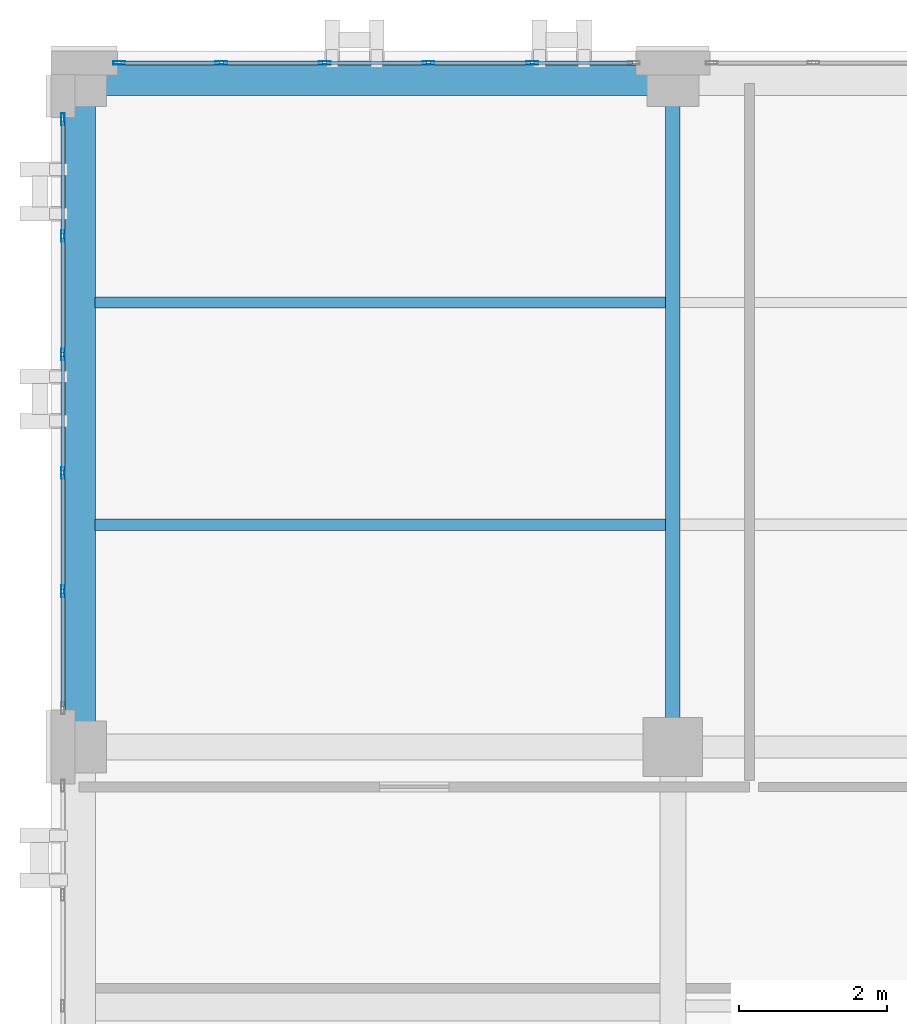
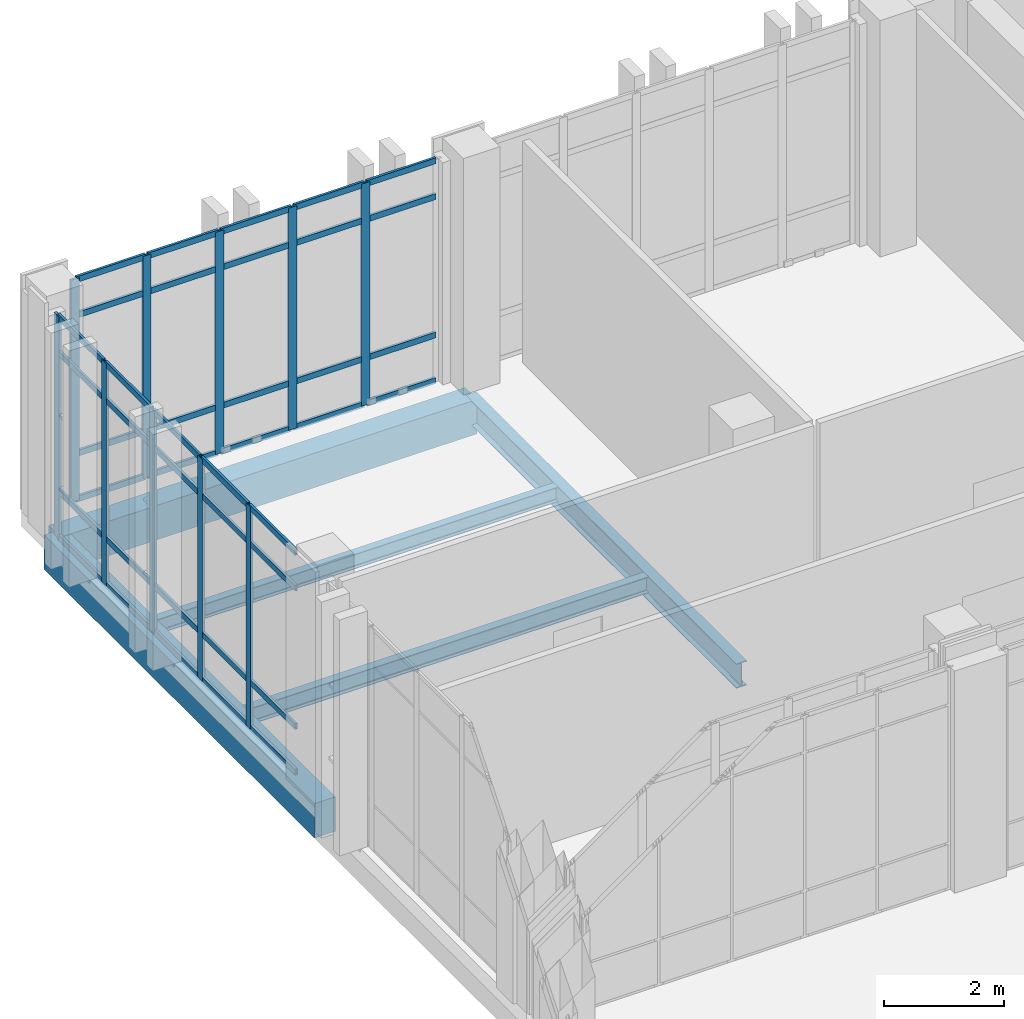
# One storey, part 88 of 189: 50 members, 5 beams, 2 elements without a shape of their own.
"""IFC4 building model written with IfcOpenShell, lengths in metres."""

from ifc_helpers import new_model, si_unit, direction, frame, origin, origin_2d, place, context, subcontext, project, spatial, rectangle, hollow_rectangle, i_section, extrude, material, layer, layer_set, material_profile, profile_set, type_object, element, aggregate, save


model = new_model("IFC4")

# Units and contexts
model_context = context("Model", 3, precision=1e-05, world=origin(), true_north=direction((0.0, 1.0)))
body_context = subcontext(model_context, "Body", "Model", "MODEL_VIEW")
ifc_project = project(units=[si_unit("LENGTHUNIT", "METRE"), si_unit("AREAUNIT", "SQUARE_METRE"), si_unit("VOLUMEUNIT", "CUBIC_METRE"), si_unit("PLANEANGLEUNIT", "RADIAN"), si_unit("MASSUNIT", "GRAM", prefix="KILO")], contexts=[model_context])

# Site, building, storey
site_placement = place(None, origin())
site = spatial("IfcSite", under=ifc_project, at=site_placement, CompositionType="ELEMENT")
building_placement = place(site_placement, origin())
building = spatial("IfcBuilding", under=site, at=building_placement, Name="Qalavern Law Courts", CompositionType="ELEMENT")
storey_placement = place(building_placement, frame((0.0, 0.0, 5.39990234375)))
storey = spatial("IfcBuildingStorey", under=building, at=storey_placement, Name="L01", CompositionType="ELEMENT", Elevation=5.39990234375)

# Curtain wall, members
ifc_material_1 = material(Name="Anodised aluminium and insulated glazing", Category="aluminium")
ifc_layer = layer(ifc_material_1, 0.166015625)
ifc_layer_set = layer_set([ifc_layer], Name="Anodised aluminium and insulated glazing")
curtain_wall_type = type_object("IfcCurtainWallType", Name="ENV-CW-LIB", PredefinedType="USERDEFINED", material=ifc_layer_set)
curtain_wall_1_placement = place(storey_placement, origin())
curtain_wall_1 = element("IfcCurtainWall", 1, at=curtain_wall_1_placement, inside=storey, type_object=curtain_wall_type, Name="V5 unitised curtain wall L01 north 7", ObjectType="UNITISED CURTAIN WALL", PredefinedType="USERDEFINED")
ifc_material_2 = material(Name="Anodised aluminium", Category="aluminium")
ifc_material_profile_1 = material_profile(ifc_material_2, hollow_rectangle(XDim=0.048095703125, YDim=0.159912109375, WallThickness=0.00390625, at=origin_2d()), Name="ALU MULLION 48x160")
ifc_profile_set_1 = profile_set([ifc_material_profile_1], Name="Anodised aluminium")
member_type_1 = type_object("IfcMemberType", Name="ENV-CWM-48x160", PredefinedType="MULLION", material=ifc_profile_set_1)
member_1_placement = place(storey_placement, frame((8.5, 112.83740234375, 0.0), z_axis=(0.0, 0.0, 1.0), x_axis=(0.0, -1.0, 0.0)))
member_1 = element("IfcMember", 2, at=member_1_placement, type_object=member_type_1, Name="CW-05 mullion 2", PredefinedType="MULLION", context=body_context, shape_type="SweptSolid", body=[
    extrude(hollow_rectangle(XDim=0.048095703125, YDim=0.159912109375, WallThickness=0.00390625, at=origin_2d()), origin(), (0.0, 0.0, 1.0), 4.510009765625),
])
member_2_placement = place(storey_placement, frame((7.10009765625, 112.83740234375, 0.0), z_axis=(0.0, 0.0, 1.0), x_axis=(0.0, -1.0, 0.0)))
member_2 = element("IfcMember", 3, at=member_2_placement, type_object=member_type_1, Name="CW-05 mullion 3", PredefinedType="MULLION", context=body_context, shape_type="SweptSolid", body=[
    extrude(hollow_rectangle(XDim=0.048095703125, YDim=0.159912109375, WallThickness=0.00390625, at=origin_2d()), origin(), (0.0, 0.0, 1.0), 4.510009765625),
])
member_3_placement = place(storey_placement, frame((5.699951171875, 112.83740234375, 0.0), z_axis=(0.0, 0.0, 1.0), x_axis=(0.0, -1.0, 0.0)))
member_3 = element("IfcMember", 4, at=member_3_placement, type_object=member_type_1, Name="CW-05 mullion 4", PredefinedType="MULLION", context=body_context, shape_type="SweptSolid", body=[
    extrude(hollow_rectangle(XDim=0.048095703125, YDim=0.159912109375, WallThickness=0.00390625, at=origin_2d()), origin(), (0.0, 0.0, 1.0), 4.510009765625),
])
member_4_placement = place(storey_placement, frame((4.300048828125, 112.83740234375, 0.0), z_axis=(0.0, 0.0, 1.0), x_axis=(0.0, -1.0, 0.0)))
member_4 = element("IfcMember", 5, at=member_4_placement, type_object=member_type_1, Name="CW-05 mullion 5", PredefinedType="MULLION", context=body_context, shape_type="SweptSolid", body=[
    extrude(hollow_rectangle(XDim=0.048095703125, YDim=0.159912109375, WallThickness=0.00390625, at=origin_2d()), origin(), (0.0, 0.0, 1.0), 4.510009765625),
])
member_5_placement = place(storey_placement, frame((2.924072265625, 112.83740234375, 0.0), z_axis=(0.0, 0.0, 1.0), x_axis=(0.0, -1.0, 0.0)))
member_5 = element("IfcMember", 6, at=member_5_placement, type_object=member_type_1, Name="CW-05 mullion 6", PredefinedType="MULLION", context=body_context, shape_type="SweptSolid", body=[
    extrude(hollow_rectangle(XDim=0.048095703125, YDim=0.159912109375, WallThickness=0.00390625, at=origin_2d()), origin(), (0.0, 0.0, 1.0), 4.510009765625),
])

curtain_wall_2_placement = place(storey_placement, origin())
curtain_wall_2 = element("IfcCurtainWall", 7, at=curtain_wall_2_placement, inside=storey, type_object=curtain_wall_type, Name="V5 unitised curtain wall L01 west 1", ObjectType="UNITISED CURTAIN WALL", PredefinedType="USERDEFINED")
member_6_placement = place(storey_placement, frame((2.16259765625, 112.075927734375, 0.0), z_axis=(0.0, 0.0, 1.0), x_axis=(1.0, 0.0, 0.0)))
member_6 = element("IfcMember", 8, at=member_6_placement, type_object=member_type_1, Name="CW-05 mullion 1", PredefinedType="MULLION", context=body_context, shape_type="SweptSolid", body=[
    extrude(hollow_rectangle(XDim=0.048095703125, YDim=0.159912109375, WallThickness=0.00390625, at=origin_2d()), origin(), (0.0, 0.0, 1.0), 4.510009765625),
])
member_7_placement = place(storey_placement, frame((2.16259765625, 110.5, 0.0), z_axis=(0.0, 0.0, 1.0), x_axis=(1.0, 0.0, 0.0)))
member_7 = element("IfcMember", 9, at=member_7_placement, type_object=member_type_1, Name="CW-05 mullion 2", PredefinedType="MULLION", context=body_context, shape_type="SweptSolid", body=[
    extrude(hollow_rectangle(XDim=0.048095703125, YDim=0.159912109375, WallThickness=0.00390625, at=origin_2d()), origin(), (0.0, 0.0, 1.0), 4.510009765625),
])
member_8_placement = place(storey_placement, frame((2.16259765625, 108.89990234375, 0.0), z_axis=(0.0, 0.0, 1.0), x_axis=(1.0, 0.0, 0.0)))
member_8 = element("IfcMember", 10, at=member_8_placement, type_object=member_type_1, Name="CW-05 mullion 3", PredefinedType="MULLION", context=body_context, shape_type="SweptSolid", body=[
    extrude(hollow_rectangle(XDim=0.048095703125, YDim=0.159912109375, WallThickness=0.00390625, at=origin_2d()), origin(), (0.0, 0.0, 1.0), 4.510009765625),
])
member_9_placement = place(storey_placement, frame((2.16259765625, 107.300048828125, 0.0), z_axis=(0.0, 0.0, 1.0), x_axis=(1.0, 0.0, 0.0)))
member_9 = element("IfcMember", 11, at=member_9_placement, type_object=member_type_1, Name="CW-05 mullion 4", PredefinedType="MULLION", context=body_context, shape_type="SweptSolid", body=[
    extrude(hollow_rectangle(XDim=0.048095703125, YDim=0.159912109375, WallThickness=0.00390625, at=origin_2d()), origin(), (0.0, 0.0, 1.0), 4.510009765625),
])
member_10_placement = place(storey_placement, frame((2.16259765625, 105.699951171875, 0.0), z_axis=(0.0, 0.0, 1.0), x_axis=(1.0, 0.0, 0.0)))
member_10 = element("IfcMember", 12, at=member_10_placement, type_object=member_type_1, Name="CW-05 mullion 5", PredefinedType="MULLION", context=body_context, shape_type="SweptSolid", body=[
    extrude(hollow_rectangle(XDim=0.048095703125, YDim=0.159912109375, WallThickness=0.00390625, at=origin_2d()), origin(), (0.0, 0.0, 1.0), 4.510009765625),
])

# Member
ifc_material_profile_2 = material_profile(ifc_material_2, hollow_rectangle(XDim=0.048095703125, YDim=0.1201171875, WallThickness=0.00390625, at=origin_2d()), Name="ALU TRANSOM 48x120")
ifc_profile_set_2 = profile_set([ifc_material_profile_2], Name="Anodised aluminium")
member_type_2 = type_object("IfcMemberType", Name="ENV-CWT-48x120", PredefinedType="USERDEFINED", material=ifc_profile_set_2)
member_11_placement = place(storey_placement, frame((9.85205078125, 112.83740234375, 0.024169921875), z_axis=(-1.0, 0.0, 0.0), x_axis=(0.0, -1.0, 0.0)))
member_11 = element("IfcMember", 13, at=member_11_placement, type_object=member_type_2, Name="CW-05 transom 1.1", ObjectType="TRANSOM", PredefinedType="USERDEFINED", context=body_context, shape_type="SweptSolid", body=[
    extrude(hollow_rectangle(XDim=0.048095703125, YDim=0.1201171875, WallThickness=0.00390625, at=origin_2d()), origin(), (0.0, 0.0, 1.0), 1.328125),
])

member_12_placement = place(storey_placement, frame((9.85205078125, 112.83740234375, 0.9501953125), z_axis=(-1.0, 0.0, 0.0), x_axis=(0.0, -1.0, 0.0)))
member_12 = element("IfcMember", 14, at=member_12_placement, type_object=member_type_2, Name="CW-05 transom 1.2", ObjectType="TRANSOM", PredefinedType="USERDEFINED", context=body_context, shape_type="SweptSolid", body=[
    extrude(hollow_rectangle(XDim=0.048095703125, YDim=0.1201171875, WallThickness=0.00390625, at=origin_2d()), origin(), (0.0, 0.0, 1.0), 1.328125),
])

member_13_placement = place(storey_placement, frame((9.85205078125, 112.83740234375, 3.760009765625), z_axis=(-1.0, 0.0, 0.0), x_axis=(0.0, -1.0, 0.0)))
member_13 = element("IfcMember", 15, at=member_13_placement, type_object=member_type_2, Name="CW-05 transom 1.3", ObjectType="TRANSOM", PredefinedType="USERDEFINED", context=body_context, shape_type="SweptSolid", body=[
    extrude(hollow_rectangle(XDim=0.048095703125, YDim=0.1201171875, WallThickness=0.00390625, at=origin_2d()), origin(), (0.0, 0.0, 1.0), 1.328125),
])

member_14_placement = place(storey_placement, frame((9.85205078125, 112.83740234375, 4.486083984375), z_axis=(-1.0, 0.0, 0.0), x_axis=(0.0, -1.0, 0.0)))
member_14 = element("IfcMember", 16, at=member_14_placement, type_object=member_type_2, Name="CW-05 transom 1.4", ObjectType="TRANSOM", PredefinedType="USERDEFINED", context=body_context, shape_type="SweptSolid", body=[
    extrude(hollow_rectangle(XDim=0.048095703125, YDim=0.1201171875, WallThickness=0.00390625, at=origin_2d()), origin(), (0.0, 0.0, 1.0), 1.328125),
])

member_15_placement = place(storey_placement, frame((8.47607421875, 112.83740234375, 0.024169921875), z_axis=(-1.0, 0.0, 0.0), x_axis=(0.0, -1.0, 0.0)))
member_15 = element("IfcMember", 17, at=member_15_placement, type_object=member_type_2, Name="CW-05 transom 2.1", ObjectType="TRANSOM", PredefinedType="USERDEFINED", context=body_context, shape_type="SweptSolid", body=[
    extrude(hollow_rectangle(XDim=0.048095703125, YDim=0.1201171875, WallThickness=0.00390625, at=origin_2d()), origin(), (0.0, 0.0, 1.0), 1.35205078125),
])

member_16_placement = place(storey_placement, frame((8.47607421875, 112.83740234375, 0.9501953125), z_axis=(-1.0, 0.0, 0.0), x_axis=(0.0, -1.0, 0.0)))
member_16 = element("IfcMember", 18, at=member_16_placement, type_object=member_type_2, Name="CW-05 transom 2.2", ObjectType="TRANSOM", PredefinedType="USERDEFINED", context=body_context, shape_type="SweptSolid", body=[
    extrude(hollow_rectangle(XDim=0.048095703125, YDim=0.1201171875, WallThickness=0.00390625, at=origin_2d()), origin(), (0.0, 0.0, 1.0), 1.35205078125),
])

member_17_placement = place(storey_placement, frame((8.47607421875, 112.83740234375, 3.760009765625), z_axis=(-1.0, 0.0, 0.0), x_axis=(0.0, -1.0, 0.0)))
member_17 = element("IfcMember", 19, at=member_17_placement, type_object=member_type_2, Name="CW-05 transom 2.3", ObjectType="TRANSOM", PredefinedType="USERDEFINED", context=body_context, shape_type="SweptSolid", body=[
    extrude(hollow_rectangle(XDim=0.048095703125, YDim=0.1201171875, WallThickness=0.00390625, at=origin_2d()), origin(), (0.0, 0.0, 1.0), 1.35205078125),
])

member_18_placement = place(storey_placement, frame((8.47607421875, 112.83740234375, 4.486083984375), z_axis=(-1.0, 0.0, 0.0), x_axis=(0.0, -1.0, 0.0)))
member_18 = element("IfcMember", 20, at=member_18_placement, type_object=member_type_2, Name="CW-05 transom 2.4", ObjectType="TRANSOM", PredefinedType="USERDEFINED", context=body_context, shape_type="SweptSolid", body=[
    extrude(hollow_rectangle(XDim=0.048095703125, YDim=0.1201171875, WallThickness=0.00390625, at=origin_2d()), origin(), (0.0, 0.0, 1.0), 1.35205078125),
])

member_19_placement = place(storey_placement, frame((7.075927734375, 112.83740234375, 0.024169921875), z_axis=(-1.0, 0.0, 0.0), x_axis=(0.0, -1.0, 0.0)))
member_19 = element("IfcMember", 21, at=member_19_placement, type_object=member_type_2, Name="CW-05 transom 3.1", ObjectType="TRANSOM", PredefinedType="USERDEFINED", context=body_context, shape_type="SweptSolid", body=[
    extrude(hollow_rectangle(XDim=0.048095703125, YDim=0.1201171875, WallThickness=0.00390625, at=origin_2d()), origin(), (0.0, 0.0, 1.0), 1.351806640625),
])

member_20_placement = place(storey_placement, frame((7.075927734375, 112.83740234375, 0.9501953125), z_axis=(-1.0, 0.0, 0.0), x_axis=(0.0, -1.0, 0.0)))
member_20 = element("IfcMember", 22, at=member_20_placement, type_object=member_type_2, Name="CW-05 transom 3.2", ObjectType="TRANSOM", PredefinedType="USERDEFINED", context=body_context, shape_type="SweptSolid", body=[
    extrude(hollow_rectangle(XDim=0.048095703125, YDim=0.1201171875, WallThickness=0.00390625, at=origin_2d()), origin(), (0.0, 0.0, 1.0), 1.351806640625),
])

member_21_placement = place(storey_placement, frame((7.075927734375, 112.83740234375, 3.760009765625), z_axis=(-1.0, 0.0, 0.0), x_axis=(0.0, -1.0, 0.0)))
member_21 = element("IfcMember", 23, at=member_21_placement, type_object=member_type_2, Name="CW-05 transom 3.3", ObjectType="TRANSOM", PredefinedType="USERDEFINED", context=body_context, shape_type="SweptSolid", body=[
    extrude(hollow_rectangle(XDim=0.048095703125, YDim=0.1201171875, WallThickness=0.00390625, at=origin_2d()), origin(), (0.0, 0.0, 1.0), 1.351806640625),
])

member_22_placement = place(storey_placement, frame((7.075927734375, 112.83740234375, 4.486083984375), z_axis=(-1.0, 0.0, 0.0), x_axis=(0.0, -1.0, 0.0)))
member_22 = element("IfcMember", 24, at=member_22_placement, type_object=member_type_2, Name="CW-05 transom 3.4", ObjectType="TRANSOM", PredefinedType="USERDEFINED", context=body_context, shape_type="SweptSolid", body=[
    extrude(hollow_rectangle(XDim=0.048095703125, YDim=0.1201171875, WallThickness=0.00390625, at=origin_2d()), origin(), (0.0, 0.0, 1.0), 1.351806640625),
])

member_23_placement = place(storey_placement, frame((5.676025390625, 112.83740234375, 0.024169921875), z_axis=(-1.0, 0.0, 0.0), x_axis=(0.0, -1.0, 0.0)))
member_23 = element("IfcMember", 25, at=member_23_placement, type_object=member_type_2, Name="CW-05 transom 4.1", ObjectType="TRANSOM", PredefinedType="USERDEFINED", context=body_context, shape_type="SweptSolid", body=[
    extrude(hollow_rectangle(XDim=0.048095703125, YDim=0.1201171875, WallThickness=0.00390625, at=origin_2d()), origin(), (0.0, 0.0, 1.0), 1.35205078125),
])

member_24_placement = place(storey_placement, frame((5.676025390625, 112.83740234375, 0.9501953125), z_axis=(-1.0, 0.0, 0.0), x_axis=(0.0, -1.0, 0.0)))
member_24 = element("IfcMember", 26, at=member_24_placement, type_object=member_type_2, Name="CW-05 transom 4.2", ObjectType="TRANSOM", PredefinedType="USERDEFINED", context=body_context, shape_type="SweptSolid", body=[
    extrude(hollow_rectangle(XDim=0.048095703125, YDim=0.1201171875, WallThickness=0.00390625, at=origin_2d()), origin(), (0.0, 0.0, 1.0), 1.35205078125),
])

member_25_placement = place(storey_placement, frame((5.676025390625, 112.83740234375, 3.760009765625), z_axis=(-1.0, 0.0, 0.0), x_axis=(0.0, -1.0, 0.0)))
member_25 = element("IfcMember", 27, at=member_25_placement, type_object=member_type_2, Name="CW-05 transom 4.3", ObjectType="TRANSOM", PredefinedType="USERDEFINED", context=body_context, shape_type="SweptSolid", body=[
    extrude(hollow_rectangle(XDim=0.048095703125, YDim=0.1201171875, WallThickness=0.00390625, at=origin_2d()), origin(), (0.0, 0.0, 1.0), 1.35205078125),
])

member_26_placement = place(storey_placement, frame((5.676025390625, 112.83740234375, 4.486083984375), z_axis=(-1.0, 0.0, 0.0), x_axis=(0.0, -1.0, 0.0)))
member_26 = element("IfcMember", 28, at=member_26_placement, type_object=member_type_2, Name="CW-05 transom 4.4", ObjectType="TRANSOM", PredefinedType="USERDEFINED", context=body_context, shape_type="SweptSolid", body=[
    extrude(hollow_rectangle(XDim=0.048095703125, YDim=0.1201171875, WallThickness=0.00390625, at=origin_2d()), origin(), (0.0, 0.0, 1.0), 1.35205078125),
])

member_27_placement = place(storey_placement, frame((4.27587890625, 112.83740234375, 0.024169921875), z_axis=(-1.0, 0.0, 0.0), x_axis=(0.0, -1.0, 0.0)))
member_27 = element("IfcMember", 29, at=member_27_placement, type_object=member_type_2, Name="CW-05 transom 5.1", ObjectType="TRANSOM", PredefinedType="USERDEFINED", context=body_context, shape_type="SweptSolid", body=[
    extrude(hollow_rectangle(XDim=0.048095703125, YDim=0.1201171875, WallThickness=0.00390625, at=origin_2d()), origin(), (0.0, 0.0, 1.0), 1.327880859375),
])

member_28_placement = place(storey_placement, frame((4.27587890625, 112.83740234375, 0.9501953125), z_axis=(-1.0, 0.0, 0.0), x_axis=(0.0, -1.0, 0.0)))
member_28 = element("IfcMember", 30, at=member_28_placement, type_object=member_type_2, Name="CW-05 transom 5.2", ObjectType="TRANSOM", PredefinedType="USERDEFINED", context=body_context, shape_type="SweptSolid", body=[
    extrude(hollow_rectangle(XDim=0.048095703125, YDim=0.1201171875, WallThickness=0.00390625, at=origin_2d()), origin(), (0.0, 0.0, 1.0), 1.327880859375),
])

member_29_placement = place(storey_placement, frame((4.27587890625, 112.83740234375, 3.760009765625), z_axis=(-1.0, 0.0, 0.0), x_axis=(0.0, -1.0, 0.0)))
member_29 = element("IfcMember", 31, at=member_29_placement, type_object=member_type_2, Name="CW-05 transom 5.3", ObjectType="TRANSOM", PredefinedType="USERDEFINED", context=body_context, shape_type="SweptSolid", body=[
    extrude(hollow_rectangle(XDim=0.048095703125, YDim=0.1201171875, WallThickness=0.00390625, at=origin_2d()), origin(), (0.0, 0.0, 1.0), 1.327880859375),
])

member_30_placement = place(storey_placement, frame((4.27587890625, 112.83740234375, 4.486083984375), z_axis=(-1.0, 0.0, 0.0), x_axis=(0.0, -1.0, 0.0)))
member_30 = element("IfcMember", 32, at=member_30_placement, type_object=member_type_2, Name="CW-05 transom 5.4", ObjectType="TRANSOM", PredefinedType="USERDEFINED", context=body_context, shape_type="SweptSolid", body=[
    extrude(hollow_rectangle(XDim=0.048095703125, YDim=0.1201171875, WallThickness=0.00390625, at=origin_2d()), origin(), (0.0, 0.0, 1.0), 1.327880859375),
])

aggregate(curtain_wall_1, [member_1, member_2, member_3, member_4, member_5, member_11, member_12, member_13, member_14, member_15, member_16, member_17, member_18, member_19, member_20, member_21, member_22, member_23, member_24, member_25, member_26, member_27, member_28, member_29, member_30])

member_31_placement = place(storey_placement, frame((2.16259765625, 112.052001953125, 0.024169921875), z_axis=(0.0, -1.0, 0.0), x_axis=(1.0, 0.0, 0.0)))
member_31 = element("IfcMember", 33, at=member_31_placement, type_object=member_type_2, Name="CW-05 transom 1.1", ObjectType="TRANSOM", PredefinedType="USERDEFINED", context=body_context, shape_type="SweptSolid", body=[
    extrude(hollow_rectangle(XDim=0.048095703125, YDim=0.1201171875, WallThickness=0.00390625, at=origin_2d()), origin(), (0.0, 0.0, 1.0), 1.528076171875),
])

member_32_placement = place(storey_placement, frame((2.16259765625, 112.052001953125, 0.9501953125), z_axis=(0.0, -1.0, 0.0), x_axis=(1.0, 0.0, 0.0)))
member_32 = element("IfcMember", 34, at=member_32_placement, type_object=member_type_2, Name="CW-05 transom 1.2", ObjectType="TRANSOM", PredefinedType="USERDEFINED", context=body_context, shape_type="SweptSolid", body=[
    extrude(hollow_rectangle(XDim=0.048095703125, YDim=0.1201171875, WallThickness=0.00390625, at=origin_2d()), origin(), (0.0, 0.0, 1.0), 1.528076171875),
])

member_33_placement = place(storey_placement, frame((2.16259765625, 112.052001953125, 3.760009765625), z_axis=(0.0, -1.0, 0.0), x_axis=(1.0, 0.0, 0.0)))
member_33 = element("IfcMember", 35, at=member_33_placement, type_object=member_type_2, Name="CW-05 transom 1.3", ObjectType="TRANSOM", PredefinedType="USERDEFINED", context=body_context, shape_type="SweptSolid", body=[
    extrude(hollow_rectangle(XDim=0.048095703125, YDim=0.1201171875, WallThickness=0.00390625, at=origin_2d()), origin(), (0.0, 0.0, 1.0), 1.528076171875),
])

member_34_placement = place(storey_placement, frame((2.16259765625, 112.052001953125, 4.486083984375), z_axis=(0.0, -1.0, 0.0), x_axis=(1.0, 0.0, 0.0)))
member_34 = element("IfcMember", 36, at=member_34_placement, type_object=member_type_2, Name="CW-05 transom 1.4", ObjectType="TRANSOM", PredefinedType="USERDEFINED", context=body_context, shape_type="SweptSolid", body=[
    extrude(hollow_rectangle(XDim=0.048095703125, YDim=0.1201171875, WallThickness=0.00390625, at=origin_2d()), origin(), (0.0, 0.0, 1.0), 1.528076171875),
])

member_35_placement = place(storey_placement, frame((2.16259765625, 110.47607421875, 0.024169921875), z_axis=(0.0, -1.0, 0.0), x_axis=(1.0, 0.0, 0.0)))
member_35 = element("IfcMember", 37, at=member_35_placement, type_object=member_type_2, Name="CW-05 transom 2.1", ObjectType="TRANSOM", PredefinedType="USERDEFINED", context=body_context, shape_type="SweptSolid", body=[
    extrude(hollow_rectangle(XDim=0.048095703125, YDim=0.1201171875, WallThickness=0.00390625, at=origin_2d()), origin(), (0.0, 0.0, 1.0), 1.552001953125),
])

member_36_placement = place(storey_placement, frame((2.16259765625, 110.47607421875, 0.9501953125), z_axis=(0.0, -1.0, 0.0), x_axis=(1.0, 0.0, 0.0)))
member_36 = element("IfcMember", 38, at=member_36_placement, type_object=member_type_2, Name="CW-05 transom 2.2", ObjectType="TRANSOM", PredefinedType="USERDEFINED", context=body_context, shape_type="SweptSolid", body=[
    extrude(hollow_rectangle(XDim=0.048095703125, YDim=0.1201171875, WallThickness=0.00390625, at=origin_2d()), origin(), (0.0, 0.0, 1.0), 1.552001953125),
])

member_37_placement = place(storey_placement, frame((2.16259765625, 110.47607421875, 3.760009765625), z_axis=(0.0, -1.0, 0.0), x_axis=(1.0, 0.0, 0.0)))
member_37 = element("IfcMember", 39, at=member_37_placement, type_object=member_type_2, Name="CW-05 transom 2.3", ObjectType="TRANSOM", PredefinedType="USERDEFINED", context=body_context, shape_type="SweptSolid", body=[
    extrude(hollow_rectangle(XDim=0.048095703125, YDim=0.1201171875, WallThickness=0.00390625, at=origin_2d()), origin(), (0.0, 0.0, 1.0), 1.552001953125),
])

member_38_placement = place(storey_placement, frame((2.16259765625, 110.47607421875, 4.486083984375), z_axis=(0.0, -1.0, 0.0), x_axis=(1.0, 0.0, 0.0)))
member_38 = element("IfcMember", 40, at=member_38_placement, type_object=member_type_2, Name="CW-05 transom 2.4", ObjectType="TRANSOM", PredefinedType="USERDEFINED", context=body_context, shape_type="SweptSolid", body=[
    extrude(hollow_rectangle(XDim=0.048095703125, YDim=0.1201171875, WallThickness=0.00390625, at=origin_2d()), origin(), (0.0, 0.0, 1.0), 1.552001953125),
])

member_39_placement = place(storey_placement, frame((2.16259765625, 108.8759765625, 0.024169921875), z_axis=(0.0, -1.0, 0.0), x_axis=(1.0, 0.0, 0.0)))
member_39 = element("IfcMember", 41, at=member_39_placement, type_object=member_type_2, Name="CW-05 transom 3.1", ObjectType="TRANSOM", PredefinedType="USERDEFINED", context=body_context, shape_type="SweptSolid", body=[
    extrude(hollow_rectangle(XDim=0.048095703125, YDim=0.1201171875, WallThickness=0.00390625, at=origin_2d()), origin(), (0.0, 0.0, 1.0), 1.552001953125),
])

member_40_placement = place(storey_placement, frame((2.16259765625, 108.8759765625, 0.9501953125), z_axis=(0.0, -1.0, 0.0), x_axis=(1.0, 0.0, 0.0)))
member_40 = element("IfcMember", 42, at=member_40_placement, type_object=member_type_2, Name="CW-05 transom 3.2", ObjectType="TRANSOM", PredefinedType="USERDEFINED", context=body_context, shape_type="SweptSolid", body=[
    extrude(hollow_rectangle(XDim=0.048095703125, YDim=0.1201171875, WallThickness=0.00390625, at=origin_2d()), origin(), (0.0, 0.0, 1.0), 1.552001953125),
])

member_41_placement = place(storey_placement, frame((2.16259765625, 108.8759765625, 3.760009765625), z_axis=(0.0, -1.0, 0.0), x_axis=(1.0, 0.0, 0.0)))
member_41 = element("IfcMember", 43, at=member_41_placement, type_object=member_type_2, Name="CW-05 transom 3.3", ObjectType="TRANSOM", PredefinedType="USERDEFINED", context=body_context, shape_type="SweptSolid", body=[
    extrude(hollow_rectangle(XDim=0.048095703125, YDim=0.1201171875, WallThickness=0.00390625, at=origin_2d()), origin(), (0.0, 0.0, 1.0), 1.552001953125),
])

member_42_placement = place(storey_placement, frame((2.16259765625, 108.8759765625, 4.486083984375), z_axis=(0.0, -1.0, 0.0), x_axis=(1.0, 0.0, 0.0)))
member_42 = element("IfcMember", 44, at=member_42_placement, type_object=member_type_2, Name="CW-05 transom 3.4", ObjectType="TRANSOM", PredefinedType="USERDEFINED", context=body_context, shape_type="SweptSolid", body=[
    extrude(hollow_rectangle(XDim=0.048095703125, YDim=0.1201171875, WallThickness=0.00390625, at=origin_2d()), origin(), (0.0, 0.0, 1.0), 1.552001953125),
])

member_43_placement = place(storey_placement, frame((2.16259765625, 107.27587890625, 0.024169921875), z_axis=(0.0, -1.0, 0.0), x_axis=(1.0, 0.0, 0.0)))
member_43 = element("IfcMember", 45, at=member_43_placement, type_object=member_type_2, Name="CW-05 transom 4.1", ObjectType="TRANSOM", PredefinedType="USERDEFINED", context=body_context, shape_type="SweptSolid", body=[
    extrude(hollow_rectangle(XDim=0.048095703125, YDim=0.1201171875, WallThickness=0.00390625, at=origin_2d()), origin(), (0.0, 0.0, 1.0), 1.5517578125),
])

member_44_placement = place(storey_placement, frame((2.16259765625, 107.27587890625, 0.9501953125), z_axis=(0.0, -1.0, 0.0), x_axis=(1.0, 0.0, 0.0)))
member_44 = element("IfcMember", 46, at=member_44_placement, type_object=member_type_2, Name="CW-05 transom 4.2", ObjectType="TRANSOM", PredefinedType="USERDEFINED", context=body_context, shape_type="SweptSolid", body=[
    extrude(hollow_rectangle(XDim=0.048095703125, YDim=0.1201171875, WallThickness=0.00390625, at=origin_2d()), origin(), (0.0, 0.0, 1.0), 1.5517578125),
])

member_45_placement = place(storey_placement, frame((2.16259765625, 107.27587890625, 3.760009765625), z_axis=(0.0, -1.0, 0.0), x_axis=(1.0, 0.0, 0.0)))
member_45 = element("IfcMember", 47, at=member_45_placement, type_object=member_type_2, Name="CW-05 transom 4.3", ObjectType="TRANSOM", PredefinedType="USERDEFINED", context=body_context, shape_type="SweptSolid", body=[
    extrude(hollow_rectangle(XDim=0.048095703125, YDim=0.1201171875, WallThickness=0.00390625, at=origin_2d()), origin(), (0.0, 0.0, 1.0), 1.5517578125),
])

member_46_placement = place(storey_placement, frame((2.16259765625, 107.27587890625, 4.486083984375), z_axis=(0.0, -1.0, 0.0), x_axis=(1.0, 0.0, 0.0)))
member_46 = element("IfcMember", 48, at=member_46_placement, type_object=member_type_2, Name="CW-05 transom 4.4", ObjectType="TRANSOM", PredefinedType="USERDEFINED", context=body_context, shape_type="SweptSolid", body=[
    extrude(hollow_rectangle(XDim=0.048095703125, YDim=0.1201171875, WallThickness=0.00390625, at=origin_2d()), origin(), (0.0, 0.0, 1.0), 1.5517578125),
])

member_47_placement = place(storey_placement, frame((2.16259765625, 105.676025390625, 0.024169921875), z_axis=(0.0, -1.0, 0.0), x_axis=(1.0, 0.0, 0.0)))
member_47 = element("IfcMember", 49, at=member_47_placement, type_object=member_type_2, Name="CW-05 transom 5.1", ObjectType="TRANSOM", PredefinedType="USERDEFINED", context=body_context, shape_type="SweptSolid", body=[
    extrude(hollow_rectangle(XDim=0.048095703125, YDim=0.1201171875, WallThickness=0.00390625, at=origin_2d()), origin(), (0.0, 0.0, 1.0), 1.528076171875),
])

member_48_placement = place(storey_placement, frame((2.16259765625, 105.676025390625, 0.9501953125), z_axis=(0.0, -1.0, 0.0), x_axis=(1.0, 0.0, 0.0)))
member_48 = element("IfcMember", 50, at=member_48_placement, type_object=member_type_2, Name="CW-05 transom 5.2", ObjectType="TRANSOM", PredefinedType="USERDEFINED", context=body_context, shape_type="SweptSolid", body=[
    extrude(hollow_rectangle(XDim=0.048095703125, YDim=0.1201171875, WallThickness=0.00390625, at=origin_2d()), origin(), (0.0, 0.0, 1.0), 1.528076171875),
])

member_49_placement = place(storey_placement, frame((2.16259765625, 105.676025390625, 3.760009765625), z_axis=(0.0, -1.0, 0.0), x_axis=(1.0, 0.0, 0.0)))
member_49 = element("IfcMember", 51, at=member_49_placement, type_object=member_type_2, Name="CW-05 transom 5.3", ObjectType="TRANSOM", PredefinedType="USERDEFINED", context=body_context, shape_type="SweptSolid", body=[
    extrude(hollow_rectangle(XDim=0.048095703125, YDim=0.1201171875, WallThickness=0.00390625, at=origin_2d()), origin(), (0.0, 0.0, 1.0), 1.528076171875),
])

member_50_placement = place(storey_placement, frame((2.16259765625, 105.676025390625, 4.486083984375), z_axis=(0.0, -1.0, 0.0), x_axis=(1.0, 0.0, 0.0)))
member_50 = element("IfcMember", 52, at=member_50_placement, type_object=member_type_2, Name="CW-05 transom 5.4", ObjectType="TRANSOM", PredefinedType="USERDEFINED", context=body_context, shape_type="SweptSolid", body=[
    extrude(hollow_rectangle(XDim=0.048095703125, YDim=0.1201171875, WallThickness=0.00390625, at=origin_2d()), origin(), (0.0, 0.0, 1.0), 1.528076171875),
])

aggregate(curtain_wall_2, [member_6, member_7, member_8, member_9, member_10, member_31, member_32, member_33, member_34, member_35, member_36, member_37, member_38, member_39, member_40, member_41, member_42, member_43, member_44, member_45, member_46, member_47, member_48, member_49, member_50])

# Beams
ifc_material_3 = material(Name="Steel S355", Category="steel")
ifc_material_profile_3 = material_profile(ifc_material_3, i_section(OverallWidth=0.199951171875, OverallDepth=0.5, WebThickness=0.01025390625, FlangeThickness=0.01611328125, FilletRadius=0.02099609375, at=origin_2d()), Name="IPE 500")
ifc_profile_set_3 = profile_set([ifc_material_profile_3], Name="Steel S355")
beam_type_1 = type_object("IfcBeamType", Name="STR-BM-IPE500", PredefinedType="BEAM", material=ifc_profile_set_3)
beam_1_placement = place(storey_placement, frame((10.39990234375, 103.60009765625, -0.5498046875), z_axis=(0.0, 1.0, 0.0), x_axis=(-1.0, 0.0, 0.0)))
element("IfcBeam", 53, at=beam_1_placement, inside=storey, type_object=beam_type_1, Name="V5 Y-beam 2-2 L01", PredefinedType="BEAM", context=body_context, shape_type="SweptSolid", body=[
    extrude(i_section(OverallWidth=0.199951171875, OverallDepth=0.5, WebThickness=0.01025390625, FlangeThickness=0.01611328125, FilletRadius=0.02099609375, at=origin_2d()), origin(), (0.0, 0.0, 1.0), 9.0),
])
ifc_material_profile_4 = material_profile(ifc_material_3, i_section(OverallWidth=0.14990234375, OverallDepth=0.300048828125, WebThickness=0.007080078125, FlangeThickness=0.0107421875, FilletRadius=0.014892578125, at=origin_2d()), Name="IPE 300")
ifc_profile_set_4 = profile_set([ifc_material_profile_4], Name="Steel S355")
beam_type_2 = type_object("IfcBeamType", Name="STR-JST-IPE300", PredefinedType="JOIST", material=ifc_profile_set_4)
beam_2_placement = place(storey_placement, frame((2.597900390625, 109.60009765625, -0.449951171875), z_axis=(1.0, 0.0, 0.0), x_axis=(0.0, 1.0, 0.0)))
element("IfcBeam", 54, at=beam_2_placement, inside=storey, type_object=beam_type_2, Name="V5 secondary joist 1.2.2 L01", PredefinedType="JOIST", context=body_context, shape_type="SweptSolid", body=[
    extrude(i_section(OverallWidth=0.14990234375, OverallDepth=0.300048828125, WebThickness=0.007080078125, FlangeThickness=0.0107421875, FilletRadius=0.014892578125, at=origin_2d()), origin(), (0.0, 0.0, 1.0), 7.7041015625),
])
ifc_material_profile_5 = material_profile(ifc_material_3, i_section(OverallWidth=0.159912109375, OverallDepth=0.330078125, WebThickness=0.007568359375, FlangeThickness=0.011474609375, FilletRadius=0.01806640625, at=origin_2d()), Name="IPE 330")
ifc_profile_set_5 = profile_set([ifc_material_profile_5], Name="Steel S355")
beam_type_3 = type_object("IfcBeamType", Name="STR-JST-IPE330", PredefinedType="JOIST", material=ifc_profile_set_5)
beam_3_placement = place(storey_placement, frame((2.597900390625, 106.60009765625, -0.46484375), z_axis=(1.0, 0.0, 0.0), x_axis=(0.0, 1.0, 0.0)))
element("IfcBeam", 55, at=beam_3_placement, inside=storey, type_object=beam_type_3, Name="V5 secondary joist 1.2.1 L01", PredefinedType="JOIST", context=body_context, shape_type="SweptSolid", body=[
    extrude(i_section(OverallWidth=0.159912109375, OverallDepth=0.330078125, WebThickness=0.007568359375, FlangeThickness=0.011474609375, FilletRadius=0.01806640625, at=origin_2d()), origin(), (0.0, 0.0, 1.0), 7.7041015625),
])
ifc_material_4 = material(Name="Concrete C40/50", Category="concrete")
ifc_material_profile_6 = material_profile(ifc_material_4, rectangle(XDim=0.39990234375, YDim=0.699951171875, at=origin_2d()), Name="RC 400x700")
ifc_profile_set_6 = profile_set([ifc_material_profile_6], Name="Concrete C40/50")
beam_type_4 = type_object("IfcBeamType", Name="STR-SP-RC400x700", PredefinedType="SPANDREL", material=ifc_profile_set_6)
beam_4_placement = place(storey_placement, frame((2.39990234375, 112.60009765625, -0.64990234375), z_axis=(1.0, 0.0, 0.0), x_axis=(0.0, 1.0, 0.0)))
element("IfcBeam", 56, at=beam_4_placement, inside=storey, type_object=beam_type_4, Name="V5 X-beam 3-1 L01", PredefinedType="SPANDREL", context=body_context, shape_type="SweptSolid", body=[
    extrude(rectangle(XDim=0.39990234375, YDim=0.699951171875, at=origin_2d()), origin(), (0.0, 0.0, 1.0), 8.0),
])
beam_5_placement = place(storey_placement, frame((2.39990234375, 103.60009765625, -0.64990234375), z_axis=(0.0, 1.0, 0.0), x_axis=(-1.0, 0.0, 0.0)))
element("IfcBeam", 57, at=beam_5_placement, inside=storey, type_object=beam_type_4, Name="V5 Y-beam 1-2 L01", PredefinedType="SPANDREL", context=body_context, shape_type="SweptSolid", body=[
    extrude(rectangle(XDim=0.39990234375, YDim=0.699951171875, at=origin_2d()), origin(), (0.0, 0.0, 1.0), 9.0),
])

save(model, "model.ifc")
